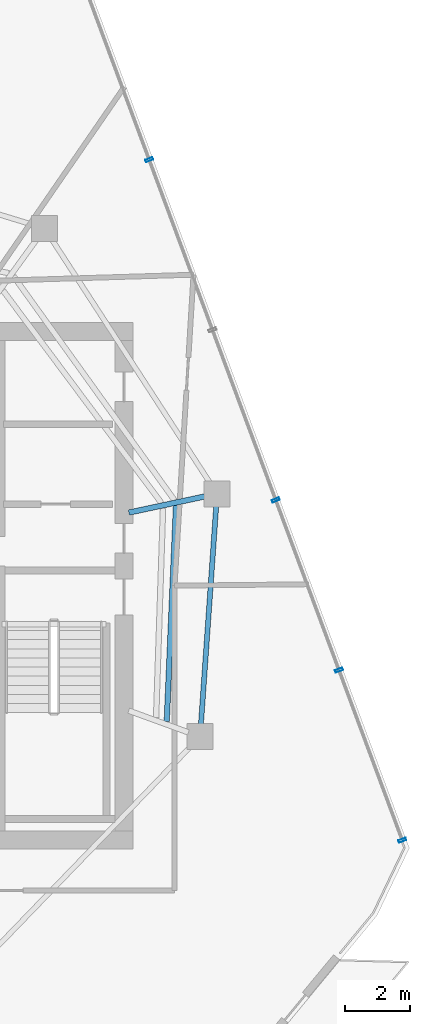
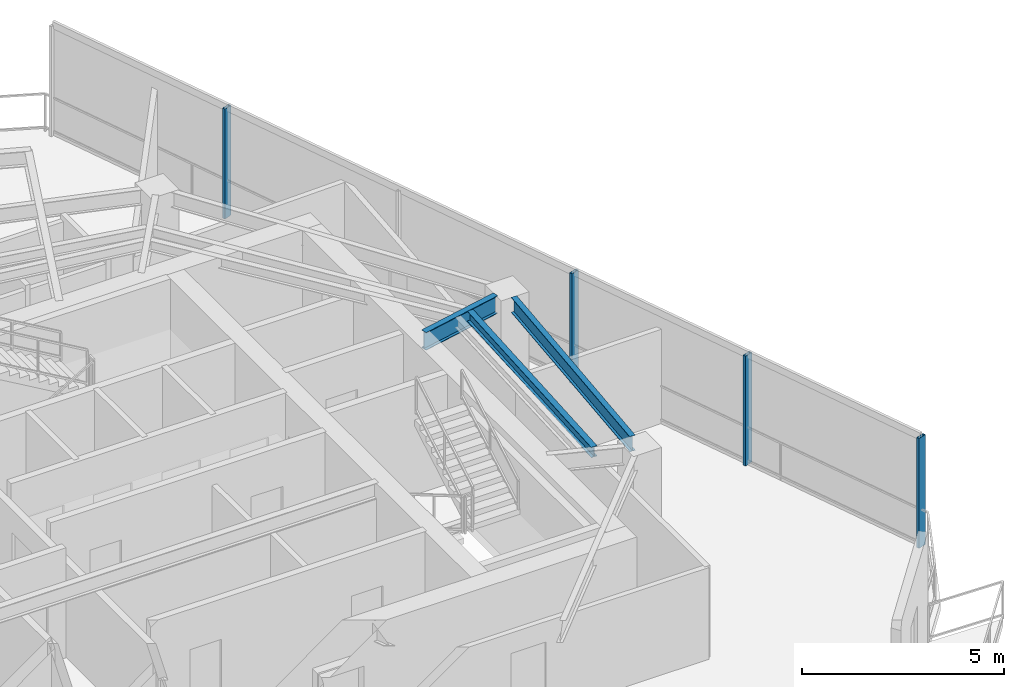
# One storey, part 10 of 19: 4 members, 3 beams, 1 element without a shape of its own.
"""IFC4 building model written with IfcOpenShell, lengths in metres."""

from ifc_helpers import new_model, si_unit, direction, frame, origin, origin_2d, place, context, subcontext, project, spatial, hollow_rectangle, i_section, extrude, material, layer, layer_set, material_profile, profile_set, type_object, element, aggregate, save


model = new_model("IFC4")

# Units and contexts
model_context = context("Model", 3, precision=1e-05, world=origin(), true_north=direction((0.0, 1.0)))
body_context = subcontext(model_context, "Body", "Model", "MODEL_VIEW")
ifc_project = project(units=[si_unit("LENGTHUNIT", "METRE"), si_unit("AREAUNIT", "SQUARE_METRE"), si_unit("VOLUMEUNIT", "CUBIC_METRE"), si_unit("PLANEANGLEUNIT", "RADIAN"), si_unit("MASSUNIT", "GRAM", prefix="KILO")], contexts=[model_context])

# Site, building, storey
site_placement = place(None, origin())
site = spatial("IfcSite", under=ifc_project, at=site_placement, CompositionType="ELEMENT")
building_placement = place(site_placement, origin())
building = spatial("IfcBuilding", under=site, at=building_placement, Name="Qarnah Convention Tower", CompositionType="ELEMENT")
storey_placement = place(building_placement, frame((0.0, 0.0, 257.10009765625)))
storey = spatial("IfcBuildingStorey", under=building, at=storey_placement, Name="L69", CompositionType="ELEMENT", Elevation=257.10009765625)

# Beams
ifc_material_1 = material(Name="Structural steel S355JR", Category="steel")
ifc_material_profile_1 = material_profile(ifc_material_1, i_section(OverallWidth=0.166015625, OverallDepth=0.31201171875, WebThickness=0.007080078125, FlangeThickness=0.010986328125, at=origin_2d()), Name="W310X45")
ifc_profile_set_1 = profile_set([ifc_material_profile_1], Name="Structural steel S355JR")
beam_type_1 = type_object("IfcBeamType", Name="BM-JST-W310", PredefinedType="JOIST", material=ifc_profile_set_1)
beam_1_placement = place(storey_placement, frame((48.909912109375, 22.22998046875, 3.163818359375), z_axis=(0.042822559752, 0.999082693462, 0.0), x_axis=(-0.999082693462, 0.042822559752, 0.0)))
element("IfcBeam", 1, at=beam_1_placement, inside=storey, type_object=beam_type_1, Name="L69 joist BM-L69-SJST-09", PredefinedType="JOIST", context=body_context, shape_type="SweptSolid", body=[
    extrude(i_section(OverallWidth=0.166015625, OverallDepth=0.31201171875, WebThickness=0.007080078125, FlangeThickness=0.010986328125, at=origin_2d()), origin(), (0.0, 0.0, 1.0), 6.63623046875),
])
ifc_material_profile_2 = material_profile(ifc_material_1, i_section(OverallWidth=0.166015625, OverallDepth=0.535888671875, WebThickness=0.010009765625, FlangeThickness=0.01708984375, at=origin_2d()), Name="W530X85")
ifc_profile_set_2 = profile_set([ifc_material_profile_2], Name="Structural steel S355JR")
beam_type_2 = type_object("IfcBeamType", Name="BM-RAD-W530B", PredefinedType="BEAM", material=ifc_profile_set_2)
beam_2_placement = place(storey_placement, frame((47.7470703125, 28.64111328125, 3.052001953125), z_axis=(0.978103714349, 0.20811805298, 0.0), x_axis=(-0.20811805298, 0.978103714349, 0.0)))
element("IfcBeam", 2, at=beam_2_placement, inside=storey, type_object=beam_type_2, Name="L69 beam BM-L69-RAD-01", PredefinedType="BEAM", context=body_context, shape_type="SweptSolid", body=[
    extrude(i_section(OverallWidth=0.166015625, OverallDepth=0.535888671875, WebThickness=0.010009765625, FlangeThickness=0.01708984375, at=origin_2d()), origin(), (0.0, 0.0, 1.0), 2.38720703125),
])
ifc_material_profile_3 = material_profile(ifc_material_1, i_section(OverallWidth=0.154052734375, OverallDepth=0.4599609375, WebThickness=0.009033203125, FlangeThickness=0.014892578125, at=origin_2d()), Name="W460X68")
ifc_profile_set_3 = profile_set([ifc_material_profile_3], Name="Structural steel S355JR")
beam_type_3 = type_object("IfcBeamType", Name="BM-SPN-W460B", PredefinedType="SPANDREL", material=ifc_profile_set_3)
beam_3_placement = place(storey_placement, frame((49.9599609375, 22.155029296875, 3.08984375), z_axis=(0.069820410922, 0.997559577278, 0.0), x_axis=(-0.997559577278, 0.069820410922, 0.0)))
element("IfcBeam", 3, at=beam_3_placement, inside=storey, type_object=beam_type_3, Name="L69 spandrel BM-L69-SPN-09", PredefinedType="SPANDREL", context=body_context, shape_type="SweptSolid", body=[
    extrude(i_section(OverallWidth=0.154052734375, OverallDepth=0.4599609375, WebThickness=0.009033203125, FlangeThickness=0.014892578125, at=origin_2d()), origin(), (0.0, 0.0, 1.0), 6.689208984375),
])

# Curtain wall, members
ifc_material_2 = material(Name="Tempered Low-E dark glass", Category="glass")
ifc_layer = layer(ifc_material_2, 0.176025390625)
ifc_layer_set = layer_set([ifc_layer], Name="Tempered Low-E dark glass")
curtain_wall_type = type_object("IfcCurtainWallType", Name="CWS-05", PredefinedType="NOTDEFINED", material=ifc_layer_set)
curtain_wall_placement = place(storey_placement, origin())
curtain_wall = element("IfcCurtainWall", 4, at=curtain_wall_placement, inside=storey, type_object=curtain_wall_type, Name="L69 unitised curtain wall CW-L69-F2", PredefinedType="NOTDEFINED")
ifc_material_3 = material(Name="Black anodised aluminium", Category="aluminium")
ifc_material_profile_4 = material_profile(ifc_material_3, hollow_rectangle(XDim=0.080078125, YDim=0.239990234375, WallThickness=0.0048828125, at=origin_2d()), Name="MUL-80X240")
ifc_profile_set_4 = profile_set([ifc_material_profile_4], Name="Black anodised aluminium")
member_type = type_object("IfcMemberType", Name="MUL-T5", PredefinedType="MULLION", material=ifc_profile_set_4)
member_1_placement = place(storey_placement, frame((48.37158203125, 39.46923828125, 0.0), z_axis=(0.0, 0.0, 1.0), x_axis=(0.348572341778, -0.937281879985, 0.0)))
member_1 = element("IfcMember", 5, at=member_1_placement, type_object=member_type, Name="CW-L69-F2 mullion 2", PredefinedType="MULLION", context=body_context, shape_type="SweptSolid", body=[
    extrude(hollow_rectangle(XDim=0.080078125, YDim=0.239990234375, WallThickness=0.0048828125, at=origin_2d()), origin(), (0.0, 0.0, 1.0), 3.31982421875),
])
member_2_placement = place(storey_placement, frame((52.2548828125, 29.027587890625, 0.0), z_axis=(0.0, 0.0, 1.0), x_axis=(0.348572341778, -0.937281879985, 0.0)))
member_2 = element("IfcMember", 6, at=member_2_placement, type_object=member_type, Name="CW-L69-F2 mullion 4", PredefinedType="MULLION", context=body_context, shape_type="SweptSolid", body=[
    extrude(hollow_rectangle(XDim=0.080078125, YDim=0.239990234375, WallThickness=0.0048828125, at=origin_2d()), origin(), (0.0, 0.0, 1.0), 3.31982421875),
])
member_3_placement = place(storey_placement, frame((54.1962890625, 23.806884765625, 0.0), z_axis=(0.0, 0.0, 1.0), x_axis=(0.348572341778, -0.937281879985, 0.0)))
member_3 = element("IfcMember", 7, at=member_3_placement, type_object=member_type, Name="CW-L69-F2 mullion 5", PredefinedType="MULLION", context=body_context, shape_type="SweptSolid", body=[
    extrude(hollow_rectangle(XDim=0.080078125, YDim=0.239990234375, WallThickness=0.0048828125, at=origin_2d()), origin(), (0.0, 0.0, 1.0), 3.31982421875),
])
member_4_placement = place(storey_placement, frame((56.137939453125, 18.5859375, 0.0), z_axis=(0.0, 0.0, 1.0), x_axis=(0.348572341778, -0.937281879985, 0.0)))
member_4 = element("IfcMember", 8, at=member_4_placement, type_object=member_type, Name="CW-L69-F2 mullion 6", PredefinedType="MULLION", context=body_context, shape_type="SweptSolid", body=[
    extrude(hollow_rectangle(XDim=0.080078125, YDim=0.239990234375, WallThickness=0.0048828125, at=origin_2d()), origin(), (0.0, 0.0, 1.0), 3.31982421875),
])
aggregate(curtain_wall, [member_1, member_2, member_3, member_4])

save(model, "model.ifc")
